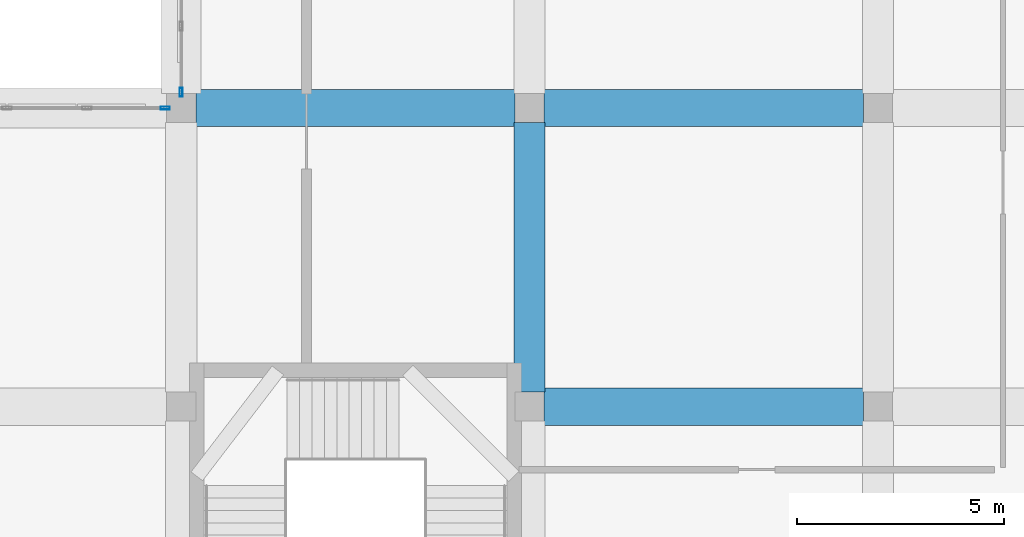
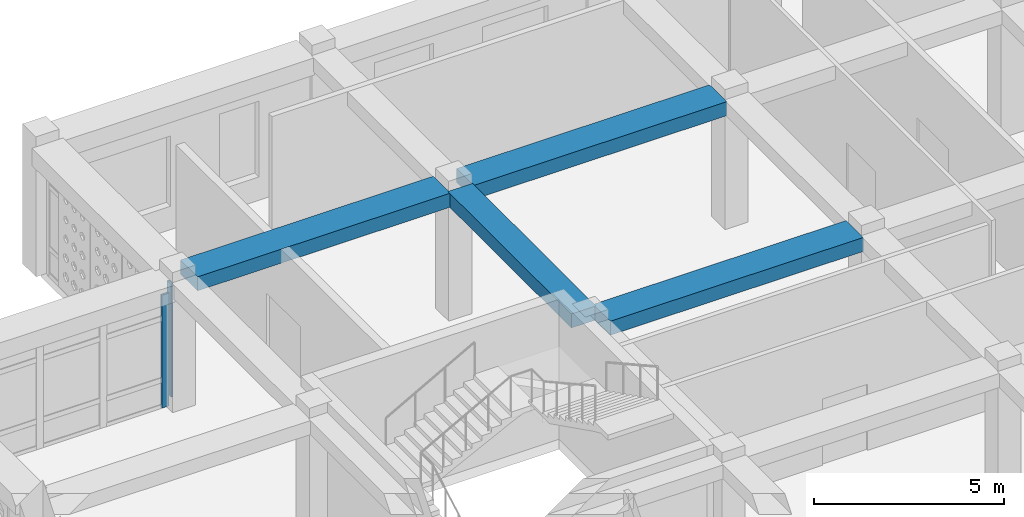
# One storey, part 26 of 100: 4 beams, 2 members, 2 elements without a shape of their own.
"""IFC4 building model written with IfcOpenShell, lengths in metres."""

from ifc_helpers import new_model, si_unit, derived_unit, direction, frame, origin, origin_2d, place, context, subcontext, project, spatial, rectangle, hollow_rectangle, extrude, material, material_profile, profile_set, type_object, element, aggregate, save


model = new_model("IFC4")

# Units and contexts
model_context = context("Model", 3, precision=1e-05, world=origin(), true_north=direction((0.0, 1.0)))
body_context = subcontext(model_context, "Body", "Model", "MODEL_VIEW")
ifc_project = project(units=[si_unit("LENGTHUNIT", "METRE"), si_unit("AREAUNIT", "SQUARE_METRE"), si_unit("VOLUMEUNIT", "CUBIC_METRE"), si_unit("PLANEANGLEUNIT", "RADIAN"), si_unit("MASSUNIT", "GRAM", prefix="KILO"), derived_unit("THERMALTRANSMITTANCEUNIT", [(si_unit("POWERUNIT", "WATT"), 1), (si_unit("LENGTHUNIT", "METRE"), -2), (si_unit("THERMODYNAMICTEMPERATUREUNIT", "KELVIN"), -1)])], contexts=[model_context])

# Site, building, storey
site_placement = place(None, origin())
site = spatial("IfcSite", under=ifc_project, at=site_placement, CompositionType="ELEMENT")
building_placement = place(site_placement, origin())
building = spatial("IfcBuilding", under=site, at=building_placement, Name="Veybourne Emporium", CompositionType="ELEMENT")
storey_placement = place(building_placement, frame((0.0, 0.0, 14.39990234375)))
storey = spatial("IfcBuildingStorey", under=building, at=storey_placement, Name="L03", CompositionType="ELEMENT", Elevation=14.39990234375)

# Curtain wall, member
ifc_material_1 = material(Name="Patinated Architectural Bronze", Category="bronze")
curtain_wall_type_1 = type_object("IfcCurtainWallType", Name="CWSystem_CWS-09", PredefinedType="NOTDEFINED", material=ifc_material_1)
curtain_wall_1_placement = place(storey_placement, origin())
curtain_wall_1 = element("IfcCurtainWall", 1, at=curtain_wall_1_placement, inside=storey, type_object=curtain_wall_type_1, Name="L03 bronze glazed curtain wall CWS-09 (012)", PredefinedType="NOTDEFINED")
ifc_material_profile_1 = material_profile(ifc_material_1, hollow_rectangle(XDim=0.072021484375, YDim=0.22509765625, WallThickness=0.0048828125, InnerFilletRadius=0.007568359375, OuterFilletRadius=0.012451171875, at=origin_2d()), Name="CWM 72x225x5")
ifc_profile_set_1 = profile_set([ifc_material_profile_1], Name="Patinated Architectural Bronze")
member_type_1 = type_object("IfcMemberType", Name="CWMullion_CW-M1", PredefinedType="MULLION", material=ifc_profile_set_1)
member_1_placement = place(storey_placement, frame((16.4140625, 79.199951171875, 0.0), z_axis=(0.0, 0.0, 1.0), x_axis=(0.0, 1.0, 0.0)))
member_1 = element("IfcMember", 2, at=member_1_placement, type_object=member_type_1, Name="CWS-09 mullion 5", PredefinedType="MULLION", context=body_context, shape_type="SweptSolid", body=[
    extrude(hollow_rectangle(XDim=0.072021484375, YDim=0.22509765625, WallThickness=0.0048828125, InnerFilletRadius=0.007568359375, OuterFilletRadius=0.012451171875, at=origin_2d()), origin(), (0.0, 0.0, 1.0), 3.630126953125),
])
aggregate(curtain_wall_1, [member_1])

curtain_wall_type_2 = type_object("IfcCurtainWallType", Name="CWSystem_CWS-12", PredefinedType="NOTDEFINED", material=ifc_material_1)
curtain_wall_2_placement = place(storey_placement, origin())
curtain_wall_2 = element("IfcCurtainWall", 3, at=curtain_wall_2_placement, inside=storey, type_object=curtain_wall_type_2, Name="L03 bronze glazed curtain wall CWS-12 (018)", PredefinedType="NOTDEFINED")
ifc_material_profile_2 = material_profile(ifc_material_1, hollow_rectangle(XDim=0.070068359375, YDim=0.219970703125, WallThickness=0.0048828125, InnerFilletRadius=0.007568359375, OuterFilletRadius=0.012451171875, at=origin_2d()), Name="CWM 70x220x5")
ifc_profile_set_2 = profile_set([ifc_material_profile_2], Name="Patinated Architectural Bronze")
member_type_2 = type_object("IfcMemberType", Name="CWMullion_CW-M4", PredefinedType="MULLION", material=ifc_profile_set_2)
member_2_placement = place(storey_placement, frame((16.800048828125, 79.5849609375, 0.0), z_axis=(0.0, 0.0, 1.0), x_axis=(-1.0, 0.0, 0.0)))
member_2 = element("IfcMember", 4, at=member_2_placement, type_object=member_type_2, Name="CWS-12 mullion 1", PredefinedType="MULLION", context=body_context, shape_type="SweptSolid", body=[
    extrude(hollow_rectangle(XDim=0.070068359375, YDim=0.219970703125, WallThickness=0.0048828125, InnerFilletRadius=0.007568359375, OuterFilletRadius=0.012451171875, at=origin_2d()), origin(), (0.0, 0.0, 1.0), 3.630126953125),
])
aggregate(curtain_wall_2, [member_2])

# Beams
ifc_material_2 = material(Name="Concrete C32/40", Category="concrete")
ifc_material_profile_3 = material_profile(ifc_material_2, rectangle(XDim=0.89990234375, YDim=0.449951171875, at=origin_2d()), Name="RC 900x450")
ifc_profile_set_3 = profile_set([ifc_material_profile_3], Name="Concrete C32/40")
beam_type_1 = type_object("IfcBeamType", Name="RCBeam_BB-03", PredefinedType="BEAM", material=ifc_profile_set_3)
beam_1_placement = place(storey_placement, frame((17.14990234375, 79.199951171875, 3.955078125), z_axis=(1.0, 0.0, 0.0), x_axis=(0.0, 1.0, 0.0)))
element("IfcBeam", 5, at=beam_1_placement, inside=storey, type_object=beam_type_1, Name="L03 X-grid beam BB-03 (2,11)", PredefinedType="BEAM", context=body_context, shape_type="SweptSolid", body=[
    extrude(rectangle(XDim=0.89990234375, YDim=0.449951171875, at=origin_2d()), origin(), (0.0, 0.0, 1.0), 7.7001953125),
])
for number, where, z_axis, x_axis, name in (
    (6, (25.550048828125, 72.0, 3.955078125), (1.0, 0.0, 0.0), (0.0, 1.0, 0.0), "L03 X-grid beam BB-03 (3,10)"),
    (7, (25.550048828125, 79.199951171875, 3.955078125), (1.0, 0.0, 0.0), (0.0, 1.0, 0.0), "L03 X-grid beam BB-03 (3,11)"),
):
    element("IfcBeam", number, at=place(storey_placement, frame(where, z_axis=z_axis, x_axis=x_axis)), inside=storey, type_object=beam_type_1, Name=name, PredefinedType="BEAM", context=body_context, shape_type="SweptSolid", body=[
        extrude(rectangle(XDim=0.89990234375, YDim=0.449951171875, at=origin_2d()), origin(), (0.0, 0.0, 1.0), 7.699951171875),
    ])
ifc_material_profile_4 = material_profile(ifc_material_2, rectangle(XDim=0.75, YDim=0.449951171875, at=origin_2d()), Name="RC 750x450")
ifc_profile_set_4 = profile_set([ifc_material_profile_4], Name="Concrete C32/40")
beam_type_2 = type_object("IfcBeamType", Name="RCBeam_BB-04", PredefinedType="BEAM", material=ifc_profile_set_4)
beam_2_placement = place(storey_placement, frame((25.199951171875, 72.35009765625, 3.955078125), z_axis=(0.0, 1.0, 0.0), x_axis=(-1.0, 0.0, 0.0)))
element("IfcBeam", 8, at=beam_2_placement, inside=storey, type_object=beam_type_2, Name="L03 Y-grid beam BB-04 (3,10)", PredefinedType="BEAM", context=body_context, shape_type="SweptSolid", body=[
    extrude(rectangle(XDim=0.75, YDim=0.449951171875, at=origin_2d()), origin(), (0.0, 0.0, 1.0), 6.5),
])

save(model, "model.ifc")
